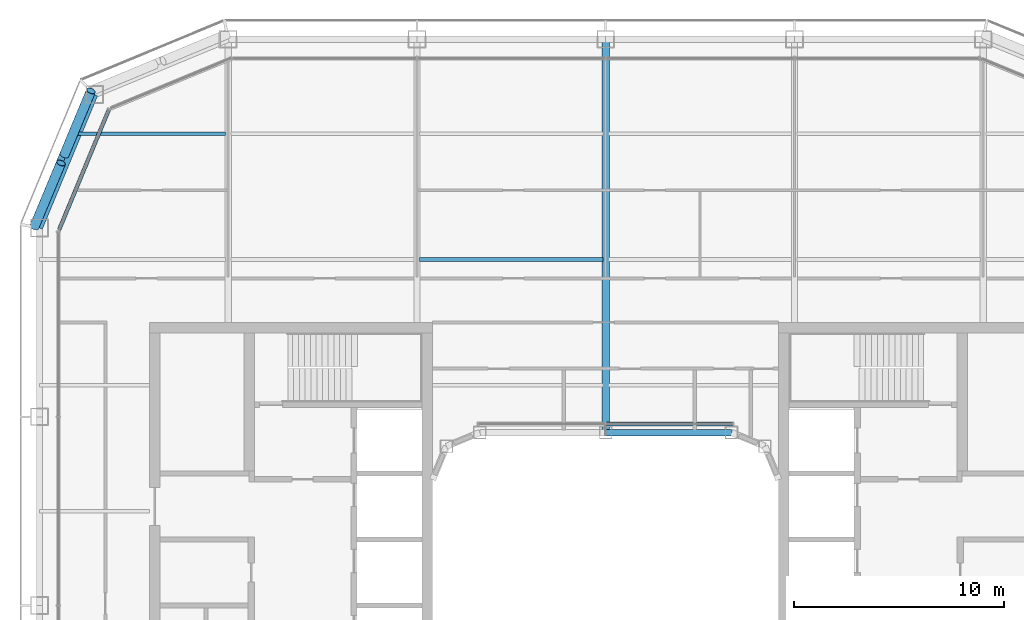
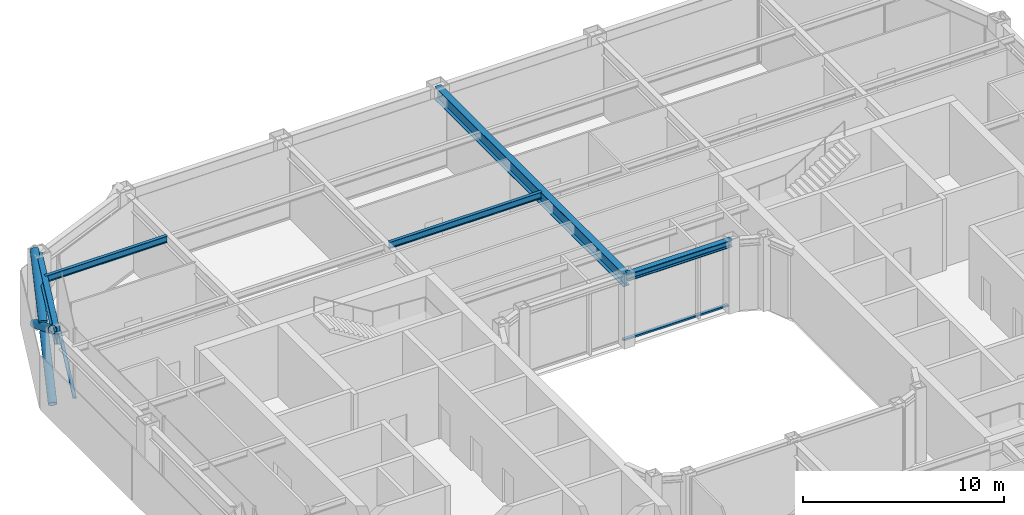
# One storey, part 7 of 22: 5 beams, 5 members, 2 elements without a shape of their own.
"""IFC4 building model written with IfcOpenShell, lengths in metres."""

from ifc_helpers import new_model, si_unit, direction, frame, origin, origin_2d, place, context, subcontext, project, spatial, rectangle, hollow_circle, i_section, extrude, material, layer, layer_set, material_profile, profile_set, type_object, element, aggregate, save


model = new_model("IFC4")

# Units and contexts
model_context = context("Model", 3, precision=1e-05, world=origin(), true_north=direction((0.0, 1.0)))
body_context = subcontext(model_context, "Body", "Model", "MODEL_VIEW")
ifc_project = project(units=[si_unit("LENGTHUNIT", "METRE"), si_unit("AREAUNIT", "SQUARE_METRE"), si_unit("VOLUMEUNIT", "CUBIC_METRE"), si_unit("PLANEANGLEUNIT", "RADIAN"), si_unit("MASSUNIT", "GRAM", prefix="KILO")], contexts=[model_context])

# Site, building, storey
site_placement = place(None, origin())
site = spatial("IfcSite", under=ifc_project, at=site_placement, CompositionType="ELEMENT")
building_placement = place(site_placement, origin())
building = spatial("IfcBuilding", under=site, at=building_placement, Name="Siwar Civic Tower", CompositionType="ELEMENT")
storey_placement = place(building_placement, frame((0.0, 0.0, 201.699951171875)))
storey = spatial("IfcBuildingStorey", under=building, at=storey_placement, Name="L43", CompositionType="ELEMENT", Elevation=201.699951171875)

# Curtain wall, member
ifc_material_1 = material(Name="Aluminium clad insulated panel", Category="aluminium")
ifc_layer_1 = layer(ifc_material_1, 0.179931640625)
ifc_layer_set_1 = layer_set([ifc_layer_1], Name="Aluminium clad insulated panel")
curtain_wall_type_1 = type_object("IfcCurtainWallType", Name="ENV-CW-CX", PredefinedType="NOTDEFINED", material=ifc_layer_set_1)
curtain_wall_1_placement = place(storey_placement, origin())
curtain_wall_1 = element("IfcCurtainWall", 1, at=curtain_wall_1_placement, inside=storey, type_object=curtain_wall_type_1, Name="Curtain wall C NW2", PredefinedType="NOTDEFINED")
ifc_material_2 = material(Name="Aluminium 6063-T6", Category="aluminium")
ifc_material_profile_1 = material_profile(ifc_material_2, rectangle(XDim=0.179931640625, YDim=0.10009765625, at=origin_2d()), Name="AL 180x100")
ifc_profile_set_1 = profile_set([ifc_material_profile_1], Name="Aluminium 6063-T6")
member_type_1 = type_object("IfcMemberType", Name="ENV-TRANSOM-C", PredefinedType="USERDEFINED", material=ifc_profile_set_1)
member_1_placement = place(storey_placement, frame((-23.6865234375, 23.6474609375, 0.050048828125), z_axis=(-0.382691366456, -0.923876246063, 0.0), x_axis=(0.923876246063, -0.382691366456, 0.0)))
member_1 = element("IfcMember", 2, at=member_1_placement, type_object=member_type_1, Name="Transom C NW2 1", ObjectType="TRANSOM", PredefinedType="USERDEFINED", context=body_context, shape_type="SweptSolid", body=[
    extrude(rectangle(XDim=0.179931640625, YDim=0.10009765625, at=origin_2d()), origin(), (0.0, 0.0, 1.0), 6.20166015625),
])
aggregate(curtain_wall_1, [member_1])

ifc_material_3 = material(Name="Aluminium and glass", Category="aluminium")
ifc_layer_2 = layer(ifc_material_3, 0.179931640625)
ifc_layer_set_2 = layer_set([ifc_layer_2], Name="Aluminium and glass")
curtain_wall_type_2 = type_object("IfcCurtainWallType", Name="ENV-CW-W", PredefinedType="NOTDEFINED", material=ifc_layer_set_2)
curtain_wall_2_placement = place(storey_placement, origin())
curtain_wall_2 = element("IfcCurtainWall", 3, at=curtain_wall_2_placement, inside=storey, type_object=curtain_wall_type_2, Name="Curtain wall W WN", PredefinedType="NOTDEFINED")
ifc_material_4 = material(Name="Aluminium 6063-T6", Category="aluminium")
ifc_material_profile_2 = material_profile(ifc_material_4, rectangle(XDim=0.179931640625, YDim=0.10009765625, at=origin_2d()), Name="AL 180x100")
ifc_profile_set_2 = profile_set([ifc_material_profile_2], Name="Aluminium 6063-T6")
member_type_2 = type_object("IfcMemberType", Name="ENV-TRANSOM-W", PredefinedType="USERDEFINED", material=ifc_profile_set_2)
member_2_placement = place(storey_placement, frame((6.051513671875, 8.659912109375, 0.050048828125), z_axis=(-1.0, 0.0, 0.0), x_axis=(0.0, -1.0, 0.0)))
member_2 = element("IfcMember", 4, at=member_2_placement, type_object=member_type_2, Name="Transom W WN 1", ObjectType="TRANSOM", PredefinedType="USERDEFINED", context=body_context, shape_type="SweptSolid", body=[
    extrude(rectangle(XDim=0.179931640625, YDim=0.10009765625, at=origin_2d()), origin(), (0.0, 0.0, 1.0), 6.021484375),
])
aggregate(curtain_wall_2, [member_2])

# Members
ifc_material_5 = material(Name="Steel S355", Category="steel")
ifc_material_profile_3 = material_profile(ifc_material_5, hollow_circle(Radius=0.228515625, WallThickness=0.02001953125, at=origin_2d()), Name="CHS457x20")
ifc_profile_set_3 = profile_set([ifc_material_profile_3], Name="Steel S355")
member_type_3 = type_object("IfcMemberType", Name="STR-BR-CHS457x20", PredefinedType="BRACE", material=ifc_profile_set_3)
member_3_placement = place(storey_placement, frame((-24.540771484375, 24.540771484375, 0.0), z_axis=(-0.323905527954, -0.777554562952, 0.538975055633), x_axis=(0.923108759191, -0.384538969033, 0.0)))
element("IfcMember", 5, at=member_3_placement, inside=storey, type_object=member_type_3, Name="L43/brc/CNW1-3-0-1", PredefinedType="BRACE", context=body_context, shape_type="SweptSolid", body=[
    extrude(hollow_circle(Radius=0.228515625, WallThickness=0.02001953125, at=origin_2d()), origin(), (0.0, 0.0, 1.0), 8.34912109375),
])
for number, where, z_axis, x_axis, name in (
    (6, (-27.2451171875, 18.048828125, 0.0), (0.323884455881, 0.777546448489, 0.538999424564), (-0.92311621485, 0.38452107079, 0.0), "L43/brc/CNW1-3-0-2"),
    (7, (-25.81298828125, 21.486572265625, 2.383056640625), (0.323895306243, 0.777572496853, 0.538955325357), (-0.92311621485, 0.38452107079, 0.0), "L43/brc/CNW1-3-0-3"),
):
    element("IfcMember", number, at=place(storey_placement, frame(where, z_axis=z_axis, x_axis=x_axis)), inside=storey, type_object=member_type_3, Name=name, PredefinedType="BRACE", context=body_context, shape_type="SweptSolid", body=[
        extrude(hollow_circle(Radius=0.228515625, WallThickness=0.02001953125, at=origin_2d()), origin(), (0.0, 0.0, 1.0), 3.927978515625),
    ])

# Beams
ifc_material_6 = material(Name="Steel S355", Category="steel")
ifc_material_profile_4 = material_profile(ifc_material_6, i_section(OverallWidth=0.179931640625, OverallDepth=0.39990234375, WebThickness=0.008544921875, FlangeThickness=0.013427734375, FilletRadius=0.02099609375, at=origin_2d()), Name="IPE400")
ifc_profile_set_4 = profile_set([ifc_material_profile_4], Name="Steel S355")
beam_type_1 = type_object("IfcBeamType", Name="STR-FB-IPE400", PredefinedType="JOIST", material=ifc_profile_set_4)
beam_1_placement = place(storey_placement, frame((-8.8701171875, 16.5, 4.150146484375), z_axis=(1.0, 0.0, 0.0), x_axis=(0.0, 1.0, 0.0)))
element("IfcBeam", 8, at=beam_1_placement, inside=storey, type_object=beam_type_1, Name="L43/bm/F033", PredefinedType="JOIST", context=body_context, shape_type="SweptSolid", body=[
    extrude(i_section(OverallWidth=0.179931640625, OverallDepth=0.39990234375, WebThickness=0.008544921875, FlangeThickness=0.013427734375, FilletRadius=0.02099609375, at=origin_2d()), origin(), (0.0, 0.0, 1.0), 8.740234375),
])
beam_2_placement = place(storey_placement, frame((-25.135986328125, 22.5, 4.150146484375), z_axis=(1.0, 0.0, 0.0), x_axis=(0.0, 1.0, 0.0)))
element("IfcBeam", 9, at=beam_2_placement, inside=storey, type_object=beam_type_1, Name="L43/bm/F037", PredefinedType="JOIST", context=body_context, shape_type="SweptSolid", body=[
    extrude(i_section(OverallWidth=0.179931640625, OverallDepth=0.39990234375, WebThickness=0.008544921875, FlangeThickness=0.013427734375, FilletRadius=0.02099609375, at=origin_2d()), origin(), (0.0, 0.0, 1.0), 7.006103515625),
])
ifc_material_7 = material(Name="Steel S355", Category="steel")
ifc_material_profile_5 = material_profile(ifc_material_7, i_section(OverallWidth=0.360107421875, OverallDepth=0.800048828125, WebThickness=0.013916015625, FlangeThickness=0.031982421875, at=origin_2d()), Name="PG800x360x14x32")
ifc_profile_set_5 = profile_set([ifc_material_profile_5], Name="Steel S355")
beam_type_2 = type_object("IfcBeamType", Name="STR-PG-PG800x360x14x32", PredefinedType="BEAM", material=ifc_profile_set_5)
beam_3_placement = place(storey_placement, frame((0.0, 8.25, 3.949951171875), z_axis=(0.0, 1.0, 0.0), x_axis=(-1.0, 0.0, 0.0)))
element("IfcBeam", 10, at=beam_3_placement, inside=storey, type_object=beam_type_2, Name="L43/bm/G06", PredefinedType="BEAM", context=body_context, shape_type="SweptSolid", body=[
    extrude(i_section(OverallWidth=0.360107421875, OverallDepth=0.800048828125, WebThickness=0.013916015625, FlangeThickness=0.031982421875, at=origin_2d()), origin(), (0.0, 0.0, 1.0), 18.75),
])
ifc_material_8 = material(Name="Steel S355", Category="steel")
ifc_material_profile_6 = material_profile(ifc_material_8, i_section(OverallWidth=0.306884765625, OverallDepth=0.431884765625, WebThickness=0.02099609375, FlangeThickness=0.0400390625, FilletRadius=0.027099609375, at=origin_2d()), Name="HEM400")
ifc_profile_set_6 = profile_set([ifc_material_profile_6], Name="Steel S355")
beam_type_3 = type_object("IfcBeamType", Name="STR-RB-HEM400", PredefinedType="BEAM", material=ifc_profile_set_6)
beam_4_placement = place(storey_placement, frame((0.0, 8.25, 4.134033203125), z_axis=(1.0, 0.0, 0.0), x_axis=(0.0, 1.0, 0.0)))
element("IfcBeam", 11, at=beam_4_placement, inside=storey, type_object=beam_type_3, Name="L43/bm/RN2", PredefinedType="BEAM", context=body_context, shape_type="SweptSolid", body=[
    extrude(i_section(OverallWidth=0.306884765625, OverallDepth=0.431884765625, WebThickness=0.02099609375, FlangeThickness=0.0400390625, FilletRadius=0.027099609375, at=origin_2d()), origin(), (0.0, 0.0, 1.0), 6.0),
])
ifc_material_9 = material(Name="Steel S355", Category="steel")
ifc_material_profile_7 = material_profile(ifc_material_9, i_section(OverallWidth=0.300048828125, OverallDepth=0.800048828125, WebThickness=0.017578125, FlangeThickness=0.032958984375, FilletRadius=0.030029296875, at=origin_2d()), Name="HEB800")
ifc_profile_set_7 = profile_set([ifc_material_profile_7], Name="Steel S355")
beam_type_4 = type_object("IfcBeamType", Name="STR-SB-HEB800", PredefinedType="BEAM", material=ifc_profile_set_7)
beam_5_placement = place(storey_placement, frame((-24.364013671875, 24.364013671875, 3.949951171875), z_axis=(-0.382674207535, -0.923883353507, 0.0), x_axis=(0.923883353507, -0.382674207535, 0.0)))
element("IfcBeam", 12, at=beam_5_placement, inside=storey, type_object=beam_type_4, Name="L43/bm/SNW2-0", PredefinedType="BEAM", context=body_context, shape_type="SweptSolid", body=[
    extrude(i_section(OverallWidth=0.300048828125, OverallDepth=0.800048828125, WebThickness=0.017578125, FlangeThickness=0.032958984375, FilletRadius=0.030029296875, at=origin_2d()), origin(), (0.0, 0.0, 1.0), 6.888427734375),
])

save(model, "model.ifc")
